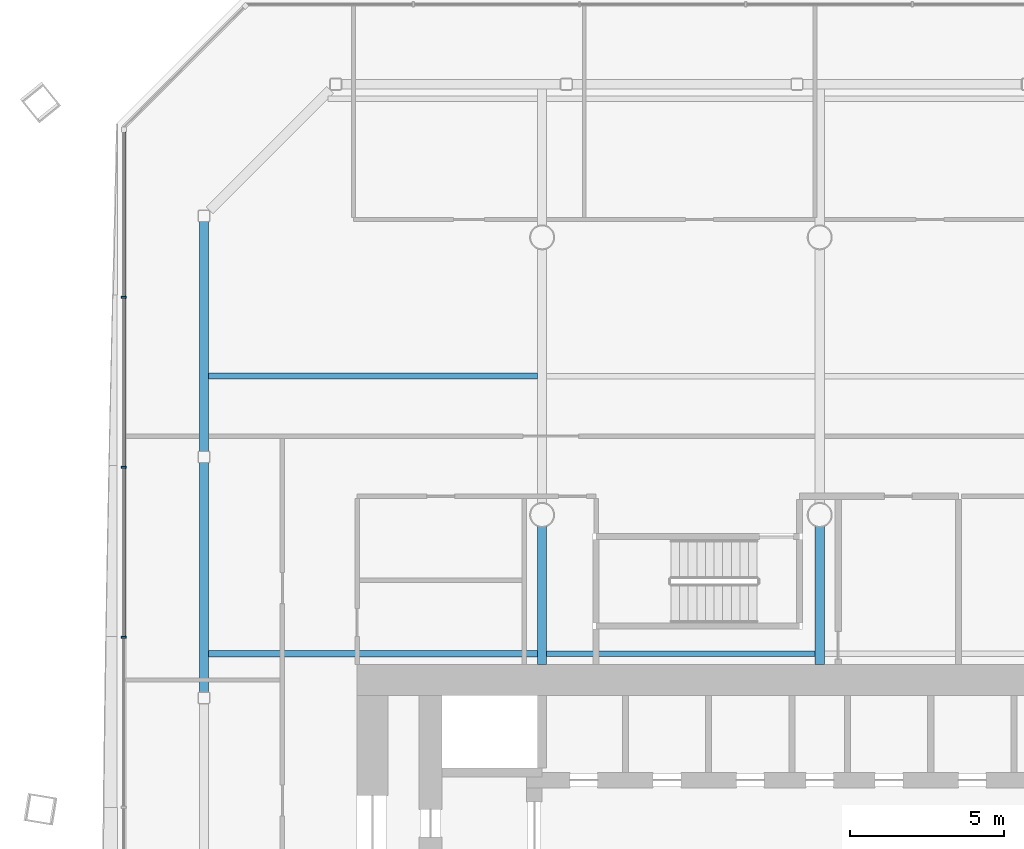
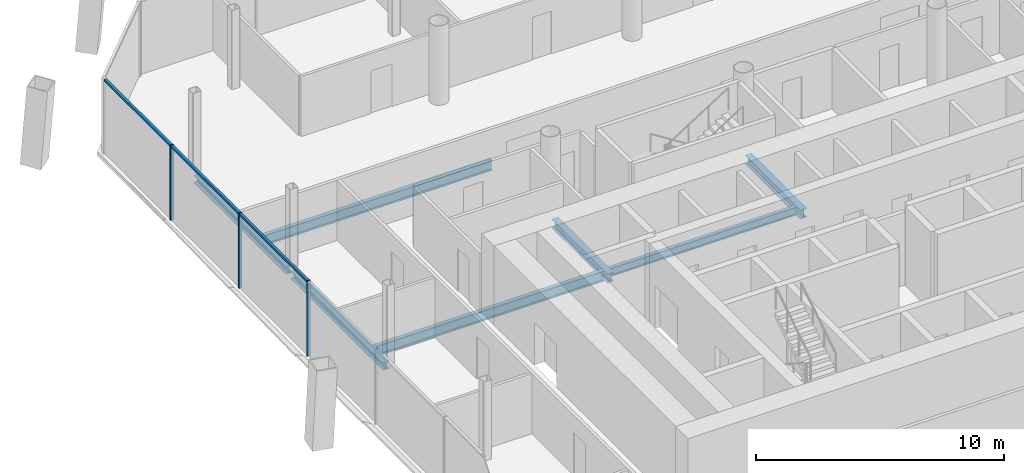
# One storey, part 7 of 20: 7 beams, 6 members, 1 element without a shape of its own.
"""IFC4 building model written with IfcOpenShell, lengths in metres."""

from ifc_helpers import new_model, si_unit, direction, frame, origin, origin_2d, place, context, subcontext, project, spatial, rectangle, i_section, extrude, material, material_profile, profile_set, type_object, element, aggregate, save


model = new_model("IFC4")

# Units and contexts
model_context = context("Model", 3, precision=1e-05, world=origin(), true_north=direction((0.0, 1.0)))
body_context = subcontext(model_context, "Body", "Model", "MODEL_VIEW")
ifc_project = project(units=[si_unit("LENGTHUNIT", "METRE"), si_unit("AREAUNIT", "SQUARE_METRE"), si_unit("VOLUMEUNIT", "CUBIC_METRE"), si_unit("PLANEANGLEUNIT", "RADIAN"), si_unit("MASSUNIT", "GRAM", prefix="KILO")], contexts=[model_context])

# Site, building, storey
site_placement = place(None, origin())
site = spatial("IfcSite", under=ifc_project, at=site_placement, CompositionType="ELEMENT")
building_placement = place(site_placement, origin())
building = spatial("IfcBuilding", under=site, at=building_placement, Name="Tskaro Facet Tower", CompositionType="ELEMENT")
storey_placement = place(building_placement, frame((0.0, 0.0, 69.89990234375)))
storey = spatial("IfcBuildingStorey", under=building, at=storey_placement, Name="L16", CompositionType="ELEMENT", Elevation=69.89990234375)

# Curtain wall, members
ifc_material_1 = material(Name="Bronze anodised aluminium 6063-T6", Category="aluminium")
curtain_wall_type = type_object("IfcCurtainWallType", Name="Bronze office curtain wall (FW1)", PredefinedType="NOTDEFINED", material=ifc_material_1)
curtain_wall_placement = place(storey_placement, origin())
curtain_wall = element("IfcCurtainWall", 1, at=curtain_wall_placement, inside=storey, type_object=curtain_wall_type, Name="FW1 west facet L16", PredefinedType="NOTDEFINED")
ifc_material_profile_1 = material_profile(ifc_material_1, rectangle(XDim=0.06005859375, YDim=0.159912109375, at=origin_2d()), Name="Mullion 60x160")
ifc_profile_set_1 = profile_set([ifc_material_profile_1], Name="Bronze anodised aluminium 6063-T6")
member_type_1 = type_object("IfcMemberType", Name="FW1 bronze mullion 60x160", PredefinedType="MULLION", material=ifc_profile_set_1)
member_1_placement = place(storey_placement, frame((-22.55908203125, 16.060791015625, 0.0), z_axis=(0.0, 0.0, 1.0), x_axis=(0.0, -1.0, 0.0)))
member_1 = element("IfcMember", 2, at=member_1_placement, type_object=member_type_1, Name="FW1 west mullion 1", PredefinedType="MULLION", context=body_context, shape_type="SweptSolid", body=[
    extrude(rectangle(XDim=0.06005859375, YDim=0.159912109375, at=origin_2d()), origin(), (0.0, 0.0, 1.0), 3.7001953125),
])
member_2_placement = place(storey_placement, frame((-22.55908203125, 10.5478515625, 0.0), z_axis=(0.0, 0.0, 1.0), x_axis=(0.0, -1.0, 0.0)))
member_2 = element("IfcMember", 3, at=member_2_placement, type_object=member_type_1, Name="FW1 west mullion 2", PredefinedType="MULLION", context=body_context, shape_type="SweptSolid", body=[
    extrude(rectangle(XDim=0.06005859375, YDim=0.159912109375, at=origin_2d()), origin(), (0.0, 0.0, 1.0), 3.7001953125),
])
member_3_placement = place(storey_placement, frame((-22.55908203125, 5.03466796875, 0.0), z_axis=(0.0, 0.0, 1.0), x_axis=(0.0, -1.0, 0.0)))
member_3 = element("IfcMember", 4, at=member_3_placement, type_object=member_type_1, Name="FW1 west mullion 3", PredefinedType="MULLION", context=body_context, shape_type="SweptSolid", body=[
    extrude(rectangle(XDim=0.06005859375, YDim=0.159912109375, at=origin_2d()), origin(), (0.0, 0.0, 1.0), 3.7001953125),
])
ifc_material_profile_2 = material_profile(ifc_material_1, rectangle(XDim=0.1201171875, YDim=0.10009765625, at=origin_2d()), Name="Transom 120x100")
ifc_profile_set_2 = profile_set([ifc_material_profile_2], Name="Bronze anodised aluminium 6063-T6")
member_type_2 = type_object("IfcMemberType", Name="FW1 bronze transom 120x100", PredefinedType="USERDEFINED", material=ifc_profile_set_2)
member_4_placement = place(storey_placement, frame((-22.55908203125, 21.4140625, 3.650146484375), z_axis=(0.0, -1.0, 0.0), x_axis=(1.0, 0.0, 0.0)))
member_4 = element("IfcMember", 5, at=member_4_placement, type_object=member_type_2, Name="FW1 west transom 1.1", ObjectType="TRANSOM", PredefinedType="USERDEFINED", context=body_context, shape_type="SweptSolid", body=[
    extrude(rectangle(XDim=0.1201171875, YDim=0.10009765625, at=origin_2d()), origin(), (0.0, 0.0, 1.0), 5.3232421875),
])
member_5_placement = place(storey_placement, frame((-22.55908203125, 16.03076171875, 3.650146484375), z_axis=(0.0, -1.0, 0.0), x_axis=(1.0, 0.0, 0.0)))
member_5 = element("IfcMember", 6, at=member_5_placement, type_object=member_type_2, Name="FW1 west transom 2.1", ObjectType="TRANSOM", PredefinedType="USERDEFINED", context=body_context, shape_type="SweptSolid", body=[
    extrude(rectangle(XDim=0.1201171875, YDim=0.10009765625, at=origin_2d()), origin(), (0.0, 0.0, 1.0), 5.453125),
])
member_6_placement = place(storey_placement, frame((-22.55908203125, 10.517822265625, 3.650146484375), z_axis=(0.0, -1.0, 0.0), x_axis=(1.0, 0.0, 0.0)))
member_6 = element("IfcMember", 7, at=member_6_placement, type_object=member_type_2, Name="FW1 west transom 3.1", ObjectType="TRANSOM", PredefinedType="USERDEFINED", context=body_context, shape_type="SweptSolid", body=[
    extrude(rectangle(XDim=0.1201171875, YDim=0.10009765625, at=origin_2d()), origin(), (0.0, 0.0, 1.0), 5.453125),
])
aggregate(curtain_wall, [member_1, member_2, member_3, member_4, member_5, member_6])

# Beams
ifc_material_2 = material(Name="Steel S355J2", Category="steel")
ifc_material_profile_3 = material_profile(ifc_material_2, i_section(OverallWidth=0.300048828125, OverallDepth=0.360107421875, WebThickness=0.012451171875, FlangeThickness=0.0224609375, FilletRadius=0.027099609375, at=origin_2d()), Name="HE 360 B")
ifc_profile_set_3 = profile_set([ifc_material_profile_3], Name="Steel S355J2")
beam_type_1 = type_object("IfcBeamType", Name="HE 360 B ring beam", PredefinedType="BEAM", material=ifc_profile_set_3)
for number, where, z_axis, x_axis, name in (
    (8, (-19.965087890625, 18.510009765625, -0.31982421875), (0.0, -1.0, 0.0), (1.0, 0.0, 0.0), "HE 360 B EB19-2"),
    (9, (-19.965087890625, 10.698974609375, -0.31982421875), (0.0, -1.0, 0.0), (1.0, 0.0, 0.0), "HE 360 B EB20-2"),
):
    element("IfcBeam", number, at=place(storey_placement, frame(where, z_axis=z_axis, x_axis=x_axis)), inside=storey, type_object=beam_type_1, Name=name, PredefinedType="BEAM", context=body_context, shape_type="SweptSolid", body=[
        extrude(i_section(OverallWidth=0.300048828125, OverallDepth=0.360107421875, WebThickness=0.012451171875, FlangeThickness=0.0224609375, FilletRadius=0.027099609375, at=origin_2d()), origin(), (0.0, 0.0, 1.0), 7.450927734375),
    ])
ifc_material_profile_4 = material_profile(ifc_material_2, i_section(OverallWidth=0.300048828125, OverallDepth=0.43994140625, WebThickness=0.011474609375, FlangeThickness=0.02099609375, FilletRadius=0.027099609375, at=origin_2d()), Name="HE 450 A")
ifc_profile_set_4 = profile_set([ifc_material_profile_4], Name="Steel S355J2")
beam_type_2 = type_object("IfcBeamType", Name="HE 450 A girder", PredefinedType="BEAM", material=ifc_profile_set_4)
for number, where, z_axis, x_axis, name in (
    (10, (-9.0, 4.14990234375, -0.35986328125), (0.0, 1.0, 0.0), (-1.0, 0.0, 0.0), "HE 450 A GB3-3-2"),
    (11, (0.0, 4.14990234375, -0.35986328125), (0.0, 1.0, 0.0), (-1.0, 0.0, 0.0), "HE 450 A GB4-3-2"),
):
    element("IfcBeam", number, at=place(storey_placement, frame(where, z_axis=z_axis, x_axis=x_axis)), inside=storey, type_object=beam_type_2, Name=name, PredefinedType="BEAM", context=body_context, shape_type="SweptSolid", body=[
        extrude(i_section(OverallWidth=0.300048828125, OverallDepth=0.43994140625, WebThickness=0.011474609375, FlangeThickness=0.02099609375, FilletRadius=0.027099609375, at=origin_2d()), origin(), (0.0, 0.0, 1.0), 4.4736328125),
    ])
ifc_material_profile_5 = material_profile(ifc_material_2, i_section(OverallWidth=0.179931640625, OverallDepth=0.39990234375, WebThickness=0.008544921875, FlangeThickness=0.013427734375, FilletRadius=0.02099609375, at=origin_2d()), Name="IPE 400")
ifc_profile_set_5 = profile_set([ifc_material_profile_5], Name="Steel S355J2")
beam_type_3 = type_object("IfcBeamType", Name="IPE 400 secondary beam", PredefinedType="BEAM", material=ifc_profile_set_5)
beam_placement = place(storey_placement, frame((-8.85009765625, 4.5, -0.33984375), z_axis=(1.0, 0.0, 0.0), x_axis=(0.0, 1.0, 0.0)))
element("IfcBeam", 12, at=beam_placement, inside=storey, type_object=beam_type_3, Name="IPE 400 SB4a-2-2", PredefinedType="BEAM", context=body_context, shape_type="SweptSolid", body=[
    extrude(i_section(OverallWidth=0.179931640625, OverallDepth=0.39990234375, WebThickness=0.008544921875, FlangeThickness=0.013427734375, FilletRadius=0.02099609375, at=origin_2d()), origin(), (0.0, 0.0, 1.0), 8.7001953125),
])
ifc_material_profile_6 = material_profile(ifc_material_2, i_section(OverallWidth=0.199951171875, OverallDepth=0.5, WebThickness=0.01025390625, FlangeThickness=0.01611328125, FilletRadius=0.02099609375, at=origin_2d()), Name="IPE 500")
ifc_profile_set_6 = profile_set([ifc_material_profile_6], Name="Steel S355J2")
beam_type_4 = type_object("IfcBeamType", Name="IPE 500 long secondary beam", PredefinedType="BEAM", material=ifc_profile_set_6)
for number, where, z_axis, x_axis, name in (
    (13, (-19.81494140625, 4.5, -0.389892578125), (1.0, 0.0, 0.0), (0.0, 1.0, 0.0), "IPE 500 LSB4a-1-2"),
    (14, (-19.81494140625, 13.5, -0.389892578125), (1.0, 0.0, 0.0), (0.0, 1.0, 0.0), "IPE 500 LSB5a-1-2"),
):
    element("IfcBeam", number, at=place(storey_placement, frame(where, z_axis=z_axis, x_axis=x_axis)), inside=storey, type_object=beam_type_4, Name=name, PredefinedType="BEAM", context=body_context, shape_type="SweptSolid", body=[
        extrude(i_section(OverallWidth=0.199951171875, OverallDepth=0.5, WebThickness=0.01025390625, FlangeThickness=0.01611328125, FilletRadius=0.02099609375, at=origin_2d()), origin(), (0.0, 0.0, 1.0), 10.6650390625),
    ])

save(model, "model.ifc")
